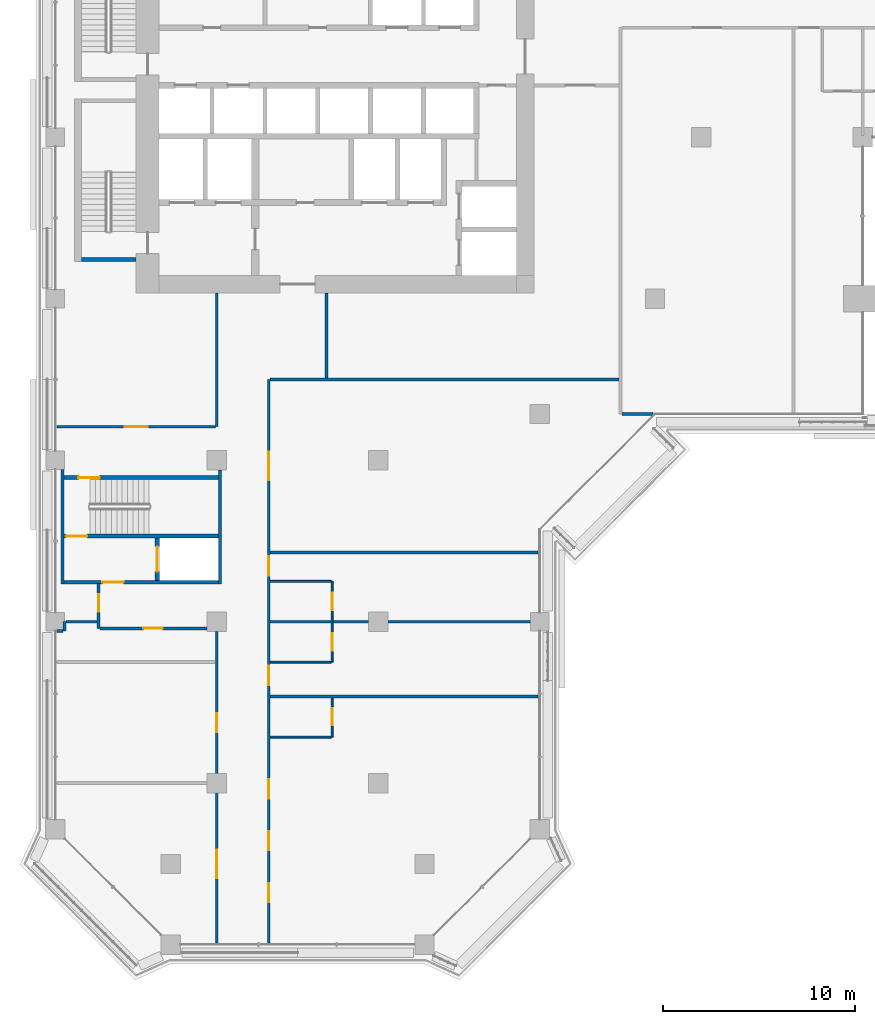
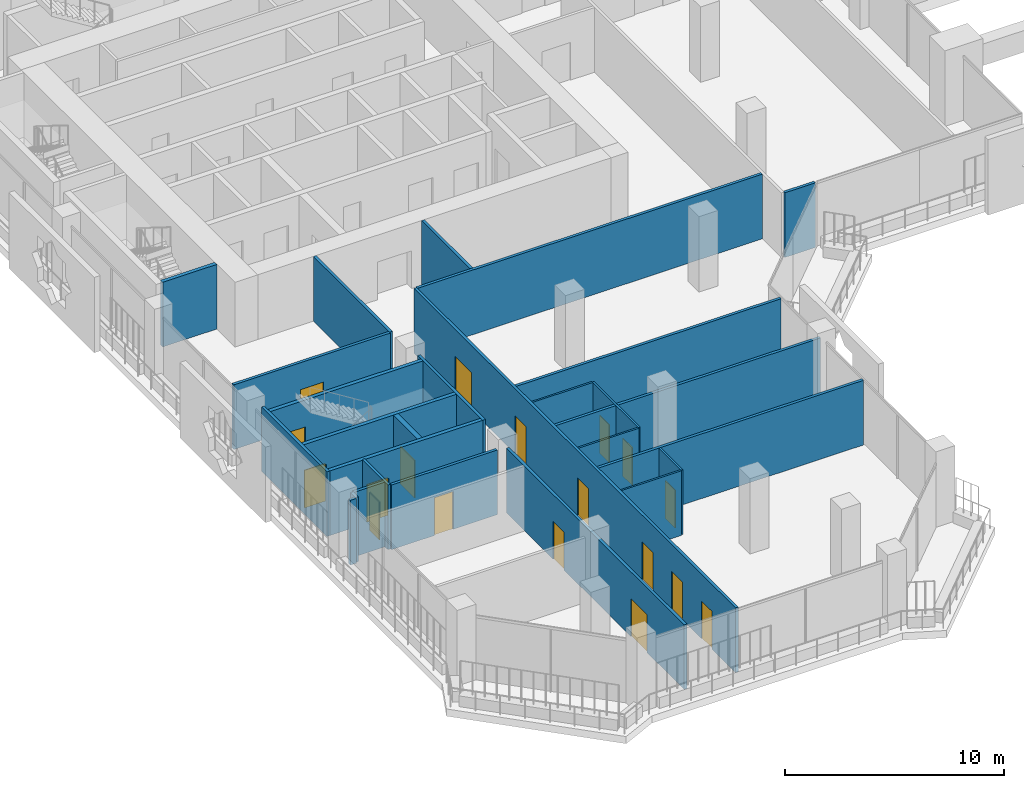
# One storey, part 11 of 23: 27 walls, 18 doors, 18 openings.
"""IFC4 building model written with IfcOpenShell, lengths in metres."""

import ifcopenshell
import ifcopenshell.guid

model = None  # the IFC model being written
_history = None  # IfcOwnerHistory: only IFC2X3 demands one
_inside = {}  # id of a spatial element -> (the spatial element, [elements in it])
_under = {}  # id of a project, library or spatial element -> (it, [spatial elements below it])
_declared = {}  # id of a project -> (the project, [libraries it declares])
_typed = {}  # id of a type object -> (the type object, [elements of that type])
_made_of = {}  # id of a material, layer set ... -> (it, [elements and type objects made of it])


def new_model(schema):
    """Start an empty IFC model of exactly this schema.

    Asked for "IFC4X3", IfcOpenShell would pick the latest addendum, in which some entities
    have other attributes; the version numbers below select the first issue.
    IFC2X3 requires an IfcOwnerHistory on every rooted entity: one is made here for all.
    """
    global model, _history
    if schema == "IFC4X3":
        model = ifcopenshell.file(schema_version=(4, 3, 0, 0))
    else:
        model = ifcopenshell.file(schema=schema)
    _inside.clear()
    _under.clear()
    _declared.clear()
    _typed.clear()
    _made_of.clear()
    _history = None
    if model.schema == "IFC2X3":
        org = make("IfcOrganization", Name="unknown")
        user = make(
            "IfcPersonAndOrganization",
            ThePerson=make("IfcPerson", FamilyName="unknown"),
            TheOrganization=org,
        )
        app = make(
            "IfcApplication",
            ApplicationDeveloper=org,
            Version="unknown",
            ApplicationFullName="unknown",
            ApplicationIdentifier="unknown",
        )
        _history = make(
            "IfcOwnerHistory",
            OwningUser=user,
            OwningApplication=app,
            ChangeAction="ADDED",
            CreationDate=0,
        )
    return model


def make(cls, **values):
    """One entity of the class cls with the attributes given. An attribute that is None is left unset."""
    return model.create_entity(
        cls, **{name: value for name, value in values.items() if value is not None}
    )


def rooted(cls, **values):
    """An entity with a GlobalId (a new one), such as an element, a storey or a relation."""
    return make(cls, GlobalId=ifcopenshell.guid.new(), OwnerHistory=_history, **values)


def si_unit(unit_type, name, prefix=None):
    """IfcSIUnit, for example si_unit("LENGTHUNIT", "METRE", prefix="MILLI")."""
    return make("IfcSIUnit", UnitType=unit_type, Prefix=prefix, Name=name)


def assignment(units):
    """IfcUnitAssignment: the units of a project."""
    return None if units is None else make("IfcUnitAssignment", Units=units)


def point(xyz):
    """IfcCartesianPoint."""
    return None if xyz is None else make("IfcCartesianPoint", Coordinates=xyz)


def direction(xyz):
    """IfcDirection."""
    return None if xyz is None else make("IfcDirection", DirectionRatios=xyz)


def frame(location, z_axis=None, x_axis=None):
    """IfcAxis2Placement3D, a coordinate frame: its origin and axes. An axis left out is left unset."""
    return make(
        "IfcAxis2Placement3D",
        Location=point(location),
        Axis=direction(z_axis),
        RefDirection=direction(x_axis),
    )


def frame_2d(location, x_axis=None):
    """IfcAxis2Placement2D, a coordinate frame in the plane: its origin and x axis."""
    return make(
        "IfcAxis2Placement2D", Location=point(location), RefDirection=direction(x_axis)
    )


def origin():
    """The frame at (0, 0, 0) with its axes left unset."""
    return frame((0.0, 0.0, 0.0))


def place(relative_to, where):
    """IfcLocalPlacement: puts the frame where relative to a parent placement (None: the world)."""
    return make(
        "IfcLocalPlacement", PlacementRelTo=relative_to, RelativePlacement=where
    )


def context(
    kind, dimensions, precision=None, world=None, true_north=None, identifier=None
):
    """IfcGeometricRepresentationContext, for example the 3D "Model" context."""
    return make(
        "IfcGeometricRepresentationContext",
        ContextIdentifier=identifier,
        ContextType=kind,
        CoordinateSpaceDimension=dimensions,
        Precision=precision,
        WorldCoordinateSystem=world,
        TrueNorth=true_north,
    )


def subcontext(parent, identifier, kind, view, scale=None):
    """IfcGeometricRepresentationSubContext, for example "Body" below "Model"."""
    return make(
        "IfcGeometricRepresentationSubContext",
        ContextIdentifier=identifier,
        ContextType=kind,
        ParentContext=parent,
        TargetScale=scale,
        TargetView=view,
    )


def project(units=None, contexts=None):
    """IfcProject with its units and contexts."""
    return rooted(
        "IfcProject",
        Name="project",
        RepresentationContexts=contexts,
        UnitsInContext=assignment(units),
    )


def spatial(cls, under=None, at=None, **own):
    """A site, building, storey or space (cls), placed at a placement, below another one or the project."""
    s = rooted(cls, ObjectPlacement=at, **own)
    if under is not None:
        _under.setdefault(under.id(), (under, []))[1].append(s)
    return s


def profile(cls, at=None, kind="AREA", **sizes):
    """A parametric profile (cls). Its sizes go by their IFC names, for example OverallWidth=200.0."""
    return make(cls, ProfileType=kind, Position=at, **sizes)


def rectangle(**sizes):
    """IfcRectangleProfileDef."""
    return profile("IfcRectangleProfileDef", **sizes)


def extrude(swept, where, along, depth):
    """IfcExtrudedAreaSolid: the profile swept, set in the frame where, extruded along a direction by depth."""
    return make(
        "IfcExtrudedAreaSolid",
        SweptArea=swept,
        Position=where,
        ExtrudedDirection=direction(along),
        Depth=depth,
    )


def shape(context_of_items, identifier, shape_type, items):
    """IfcShapeRepresentation: the items that make up one representation, for example the "Body"."""
    return make(
        "IfcShapeRepresentation",
        ContextOfItems=context_of_items,
        RepresentationIdentifier=identifier,
        RepresentationType=shape_type,
        Items=items,
    )


def material(Name=None, Category=None):
    """IfcMaterial."""
    return make("IfcMaterial", Name=Name, Category=Category)


def layer(
    of_material, thickness, ventilated=None, Name=None, Category=None, Priority=None
):
    """IfcMaterialLayer: one layer of a wall or slab, of a material (None: an air gap)."""
    return make(
        "IfcMaterialLayer",
        Material=of_material,
        LayerThickness=thickness,
        IsVentilated=ventilated,
        Name=Name,
        Category=Category,
        Priority=Priority,
    )


def layer_set(layers, Name=None):
    """IfcMaterialLayerSet."""
    return make("IfcMaterialLayerSet", MaterialLayers=layers, LayerSetName=Name)


def made_of(thing, what):
    """Note that an element or type object is made of a material, layer set ...; save() writes the relation."""
    if what is not None:
        _made_of.setdefault(what.id(), (what, []))[1].append(thing)
    return thing


def type_object(cls, material=None, **own):
    """A type object (cls), such as IfcWallType, which elements share."""
    return made_of(rooted(cls, **own), material)


def element(
    cls,
    number,
    at=None,
    inside=None,
    cuts=None,
    type_object=None,
    material=None,
    context=None,
    identifier="Body",
    shape_type=None,
    held_by="IfcProductDefinitionShape",
    body=None,
    shapes=None,
    **own,
):
    """One element of the class cls, such as IfcWall. Its Tag is "e" and its number.

    at: its placement. inside: the storey or other place that contains it. cuts: it is an
    opening in that element (IfcRelVoidsElement). A single representation is given by context,
    identifier, shape_type and body (its items); several are given by shapes. held_by: the class
    of the entity that holds the representations. save() writes the other relations.
    """
    e = rooted(cls, Tag="e%d" % number, ObjectPlacement=at, **own)
    if body is not None:
        shapes = [shape(context, identifier, shape_type, body)]
    if shapes is not None:
        e.Representation = make(held_by, Representations=shapes)
    if inside is not None:
        _inside.setdefault(inside.id(), (inside, []))[1].append(e)
    if cuts is not None:
        rooted(
            "IfcRelVoidsElement", RelatingBuildingElement=cuts, RelatedOpeningElement=e
        )
    if type_object is not None:
        _typed.setdefault(type_object.id(), (type_object, []))[1].append(e)
    return made_of(e, material)


def fill(opening, filler):
    """IfcRelFillsElement: the door or window that sits in an opening."""
    return rooted(
        "IfcRelFillsElement",
        RelatingOpeningElement=opening,
        RelatedBuildingElement=filler,
    )


def aggregate(whole, parts):
    """IfcRelAggregates: a whole, such as a stair, and the parts it consists of."""
    return rooted("IfcRelAggregates", RelatingObject=whole, RelatedObjects=parts)


def save(model, path):
    """Write the relations noted so far, then the file.

    IfcRelAggregates (storeys below a building ...), IfcRelContainedInSpatialStructure (elements
    in a storey), IfcRelDefinesByType, IfcRelAssociatesMaterial and IfcRelDeclares: one each for
    every whole, place, type object, material and project.
    """
    for whole, parts in _under.values():
        aggregate(whole, parts)
    for where, things in _inside.values():
        rooted(
            "IfcRelContainedInSpatialStructure",
            RelatedElements=things,
            RelatingStructure=where,
        )
    for kind, things in _typed.values():
        rooted("IfcRelDefinesByType", RelatedObjects=things, RelatingType=kind)
    for what, things in _made_of.values():
        rooted("IfcRelAssociatesMaterial", RelatedObjects=things, RelatingMaterial=what)
    for by, libraries in _declared.values():
        rooted("IfcRelDeclares", RelatingContext=by, RelatedDefinitions=libraries)
    model.write(path)


model = new_model("IFC4")

# Units and contexts
model_context = context("Model", 3, precision=1e-05, world=origin(), true_north=direction((0.0, 1.0)))
body_context = subcontext(model_context, "Body", "Model", "MODEL_VIEW")
ifc_project = project(units=[si_unit("LENGTHUNIT", "METRE"), si_unit("AREAUNIT", "SQUARE_METRE"), si_unit("VOLUMEUNIT", "CUBIC_METRE"), si_unit("PLANEANGLEUNIT", "RADIAN"), si_unit("MASSUNIT", "GRAM", prefix="KILO")], contexts=[model_context])

# Site, building, storey
site_placement = place(None, origin())
site = spatial("IfcSite", under=ifc_project, at=site_placement, CompositionType="ELEMENT")
building_placement = place(site_placement, origin())
building = spatial("IfcBuilding", under=site, at=building_placement, Name="Kawkab Arch Medical Tower", CompositionType="ELEMENT")
storey_placement = place(building_placement, frame((0.0, 0.0, 166.800048828125)))
storey = spatial("IfcBuildingStorey", under=building, at=storey_placement, Name="L38", CompositionType="ELEMENT", Elevation=166.800048828125)

# Wall, opening, door
ifc_material_1 = material(Name="Concrete C60/75", Category="concrete")
ifc_layer_1 = layer(ifc_material_1, 0.25)
ifc_layer_set_1 = layer_set([ifc_layer_1], Name="Concrete C60/75")
wall_type_1 = type_object("IfcWallType", Name="Core shear wall 250 C60/75", PredefinedType="SHEAR", material=ifc_layer_set_1)
wall_1_placement = place(storey_placement, frame((5.300048828125, -39.85009765625, 0.0), z_axis=(0.0, 0.0, 1.0), x_axis=(0.0, 1.0, 0.0)))
wall_1 = element("IfcWall", 1, at=wall_1_placement, inside=storey, type_object=wall_type_1, Name="L38 core shear wall", PredefinedType="SHEAR", context=body_context, shape_type="SweptSolid", body=[
    extrude(rectangle(XDim=2.2001953125, YDim=0.25, at=frame_2d((1.10009765625, 0.0))), origin(), (0.0, 0.0, 1.0), 3.599853515625),
])
opening_1_placement = place(wall_1_placement, frame((0.449951171875, 0.0, 0.0)))
opening_1 = element("IfcOpeningElement", 2, at=opening_1_placement, cuts=wall_1, Name="Opening LD2", PredefinedType="OPENING", context=body_context, shape_type="SweptSolid", body=[
    extrude(rectangle(XDim=1.300048828125, YDim=2.10009765625, at=frame_2d((0.64990234375, 1.050048828125))), frame((0.0, 0.135009765625, 0.0), z_axis=(0.0, -1.0, 0.0), x_axis=(1.0, 0.0, 0.0)), (0.0, 0.0, 1.0), 0.27001953125),
])
ifc_material_2 = material(Name="Stainless steel lift door leaf", Category="steel")
door_type_1 = type_object("IfcDoorType", Name="Lift landing door 1300", OperationType="DOUBLE_DOOR_SLIDING", PredefinedType="DOOR", material=ifc_material_2)
door_1_placement = place(opening_1_placement, origin())
door_1 = element("IfcDoor", 3, at=door_1_placement, inside=storey, type_object=door_type_1, Name="L38 Lift landing door SV2", OperationType="DOUBLE_DOOR_SLIDING", OverallHeight=2.10009765625, OverallWidth=1.300048828125, PredefinedType="DOOR", context=body_context, shape_type="SweptSolid", body=[
    extrude(rectangle(XDim=1.300048828125, YDim=2.10009765625, at=frame_2d((0.64990234375, 1.050048828125))), frame((0.0, 0.02490234375, 0.0), z_axis=(0.0, -1.0, 0.0), x_axis=(1.0, 0.0, 0.0)), (0.0, 0.0, 1.0), 0.050048828125),
])
fill(opening_1, door_1)

# Walls
ifc_material_3 = material(Name="Gypsum board partition on steel studs", Category="steel")
ifc_layer_2 = layer(ifc_material_3, 0.10009765625)
ifc_layer_set_2 = layer_set([ifc_layer_2], Name="Gypsum board partition on steel studs")
wall_type_2 = type_object("IfcWallType", Name="Partition 100", PredefinedType="PARTITIONING", material=ifc_layer_set_2)
wall_2_placement = place(storey_placement, frame((11.175048828125, -48.0, 0.0), z_axis=(0.0, 0.0, 1.0), x_axis=(1.0, 0.0, 0.0)))
element("IfcWall", 4, at=wall_2_placement, inside=storey, type_object=wall_type_2, Name="Partition 100 w001", PredefinedType="PARTITIONING", context=body_context, shape_type="SweptSolid", body=[
    extrude(rectangle(XDim=3.174072265625, YDim=0.10009765625, at=frame_2d((1.5869140625, 0.0))), origin(), (0.0, 0.0, 1.0), 3.599853515625),
])
for number, where, z_axis, x_axis, name in (
    (5, (11.175048828125, -44.10009765625, 0.0), (0.0, 0.0, 1.0), (1.0, 0.0, 0.0), "Partition 100 w002"),
    (6, (11.175048828125, -39.89990234375, 0.0), (0.0, 0.0, 1.0), (1.0, 0.0, 0.0), "Partition 100 w003"),
):
    element("IfcWall", number, at=place(storey_placement, frame(where, z_axis=z_axis, x_axis=x_axis)), inside=storey, type_object=wall_type_2, Name=name, PredefinedType="PARTITIONING", context=body_context, shape_type="SweptSolid", body=[
        extrude(rectangle(XDim=3.175048828125, YDim=0.10009765625, at=frame_2d((1.58740234375, 0.0))), origin(), (0.0, 0.0, 1.0), 3.599853515625),
    ])

# Wall, opening, door
wall_3_placement = place(storey_placement, frame((14.39990234375, -47.998046875, 0.0), z_axis=(0.0, 0.0, 1.0), x_axis=(0.0, 1.0, 0.0)))
wall_3 = element("IfcWall", 7, at=wall_3_placement, inside=storey, type_object=wall_type_2, Name="Partition 100 w008", PredefinedType="PARTITIONING", context=body_context, shape_type="SweptSolid", body=[
    extrude(rectangle(XDim=2.02294921875, YDim=0.10009765625, at=frame_2d((1.011474609375, 0.0))), origin(), (0.0, 0.0, 1.0), 3.599853515625),
])
opening_2_placement = place(wall_3_placement, frame((0.59912109375, 0.0, 0.0)))
opening_2 = element("IfcOpeningElement", 8, at=opening_2_placement, cuts=wall_3, Name="Opening B38-013", PredefinedType="OPENING", context=body_context, shape_type="SweptSolid", body=[
    extrude(rectangle(XDim=0.89990234375, YDim=2.10009765625, at=frame_2d((0.449951171875, 1.050048828125))), frame((0.0, 0.06005859375, 0.0), z_axis=(0.0, -1.0, 0.0), x_axis=(1.0, 0.0, 0.0)), (0.0, 0.0, 1.0), 0.1201171875),
])
ifc_material_4 = material(Name="Timber door leaf", Category="wood")
door_type_2 = type_object("IfcDoorType", Name="Single door 900x2100", OperationType="NOTDEFINED", PredefinedType="DOOR", material=ifc_material_4)
door_2_placement = place(opening_2_placement, origin())
door_2 = element("IfcDoor", 9, at=door_2_placement, inside=storey, type_object=door_type_2, Name="Door B38-013", OperationType="SINGLE_SWING_RIGHT", OverallHeight=2.10009765625, OverallWidth=0.89990234375, PredefinedType="DOOR", context=body_context, shape_type="SweptSolid", body=[
    extrude(rectangle(XDim=0.89990234375, YDim=2.10009765625, at=frame_2d((0.449951171875, 1.050048828125))), frame((0.0, 0.02490234375, 0.0), z_axis=(0.0, -1.0, 0.0), x_axis=(1.0, 0.0, 0.0)), (0.0, 0.0, 1.0), 0.050048828125),
])
fill(opening_2, door_2)

# Wall, openings, doors
wall_4_placement = place(storey_placement, frame((14.39990234375, -44.10009765625, 0.0), z_axis=(0.0, 0.0, 1.0), x_axis=(0.0, 1.0, 0.0)))
wall_4 = element("IfcWall", 10, at=wall_4_placement, inside=storey, type_object=wall_type_2, Name="Partition 100 w009", PredefinedType="PARTITIONING", context=body_context, shape_type="SweptSolid", body=[
    extrude(rectangle(XDim=4.2001953125, YDim=0.10009765625, at=frame_2d((2.10009765625, 0.0))), origin(), (0.0, 0.0, 1.0), 3.599853515625),
])
opening_3_placement = place(wall_4_placement, frame((2.699951171875, 0.0, 0.0)))
opening_3 = element("IfcOpeningElement", 11, at=opening_3_placement, cuts=wall_4, Name="Opening B38-011", PredefinedType="OPENING", context=body_context, shape_type="SweptSolid", body=[
    extrude(rectangle(XDim=0.89990234375, YDim=2.10009765625, at=frame_2d((0.449951171875, 1.050048828125))), frame((0.0, 0.06005859375, 0.0), z_axis=(0.0, -1.0, 0.0), x_axis=(1.0, 0.0, 0.0)), (0.0, 0.0, 1.0), 0.1201171875),
])
opening_4_placement = place(wall_4_placement, frame((0.60009765625, 0.0, 0.0)))
opening_4 = element("IfcOpeningElement", 12, at=opening_4_placement, cuts=wall_4, Name="Opening B38-012", PredefinedType="OPENING", context=body_context, shape_type="SweptSolid", body=[
    extrude(rectangle(XDim=0.89990234375, YDim=2.10009765625, at=frame_2d((0.449951171875, 1.050048828125))), frame((0.0, 0.06005859375, 0.0), z_axis=(0.0, -1.0, 0.0), x_axis=(1.0, 0.0, 0.0)), (0.0, 0.0, 1.0), 0.1201171875),
])
door_3_placement = place(opening_3_placement, origin())
door_3 = element("IfcDoor", 13, at=door_3_placement, inside=storey, type_object=door_type_2, Name="Door B38-011", OperationType="SINGLE_SWING_LEFT", OverallHeight=2.10009765625, OverallWidth=0.89990234375, PredefinedType="DOOR", context=body_context, shape_type="SweptSolid", body=[
    extrude(rectangle(XDim=0.89990234375, YDim=2.10009765625, at=frame_2d((0.449951171875, 1.050048828125))), frame((0.0, 0.02490234375, 0.0), z_axis=(0.0, -1.0, 0.0), x_axis=(1.0, 0.0, 0.0)), (0.0, 0.0, 1.0), 0.050048828125),
])
fill(opening_3, door_3)
door_4_placement = place(opening_4_placement, origin())
door_4 = element("IfcDoor", 14, at=door_4_placement, inside=storey, type_object=door_type_2, Name="Door B38-012", OperationType="SINGLE_SWING_RIGHT", OverallHeight=2.10009765625, OverallWidth=0.89990234375, PredefinedType="DOOR", context=body_context, shape_type="SweptSolid", body=[
    extrude(rectangle(XDim=0.89990234375, YDim=2.10009765625, at=frame_2d((0.449951171875, 1.050048828125))), frame((0.0, 0.02490234375, 0.0), z_axis=(0.0, -1.0, 0.0), x_axis=(1.0, 0.0, 0.0)), (0.0, 0.0, 1.0), 0.050048828125),
])
fill(opening_4, door_4)

# Walls
ifc_material_5 = material(Name="Gypsum board partition on steel studs, mineral wool", Category="steel")
ifc_layer_3 = layer(ifc_material_5, 0.14990234375)
ifc_layer_set_3 = layer_set([ifc_layer_3], Name="Gypsum board partition on steel studs, mineral wool")
wall_type_3 = type_object("IfcWallType", Name="Partition 150", PredefinedType="PARTITIONING", material=ifc_layer_set_3)
wall_5_placement = place(storey_placement, frame((11.175048828125, -45.89990234375, 0.0), z_axis=(0.0, 0.0, 1.0), x_axis=(1.0, 0.0, 0.0)))
element("IfcWall", 15, at=wall_5_placement, inside=storey, type_object=wall_type_3, Name="Partition 150 w017", PredefinedType="PARTITIONING", context=body_context, shape_type="SweptSolid", body=[
    extrude(rectangle(XDim=13.945068359375, YDim=0.14990234375, at=frame_2d((6.97265625, 0.0))), origin(), (0.0, 0.0, 1.0), 3.599853515625),
])
wall_6_placement = place(storey_placement, frame((0.080078125, -42.47509765625, 0.0), z_axis=(0.0, 0.0, 1.0), x_axis=(1.0, 0.0, 0.0)))
element("IfcWall", 16, at=wall_6_placement, inside=storey, type_object=wall_type_3, Name="Partition 150 w019", PredefinedType="PARTITIONING", context=body_context, shape_type="SweptSolid", body=[
    extrude(rectangle(XDim=0.31787109375, YDim=0.14990234375, at=frame_2d((0.158935546875, 0.0))), origin(), (0.0, 0.0, 1.0), 3.599853515625),
])

# Wall, opening, door
wall_7_placement = place(storey_placement, frame((2.326904296875, -42.35009765625, 0.0), z_axis=(0.0, 0.0, 1.0), x_axis=(1.0, 0.0, 0.0)))
wall_7 = element("IfcWall", 17, at=wall_7_placement, inside=storey, type_object=wall_type_3, Name="Partition 150 w020", PredefinedType="PARTITIONING", context=body_context, shape_type="SweptSolid", body=[
    extrude(rectangle(XDim=5.572998046875, YDim=0.14990234375, at=frame_2d((2.78662109375, 0.0))), origin(), (0.0, 0.0, 1.0), 3.599853515625),
])
opening_5_placement = place(wall_7_placement, frame((2.2490234375, 0.0, 0.0)))
opening_5 = element("IfcOpeningElement", 18, at=opening_5_placement, cuts=wall_7, Name="Opening B38-015", PredefinedType="OPENING", context=body_context, shape_type="SweptSolid", body=[
    extrude(rectangle(XDim=1.0, YDim=2.10009765625, at=frame_2d((0.5, 1.050048828125))), frame((0.0, 0.0849609375, 0.0), z_axis=(0.0, -1.0, 0.0), x_axis=(1.0, 0.0, 0.0)), (0.0, 0.0, 1.0), 0.169921875),
])
ifc_material_6 = material(Name="Timber door leaf", Category="wood")
door_type_3 = type_object("IfcDoorType", Name="Single door 1000x2100", OperationType="NOTDEFINED", PredefinedType="DOOR", material=ifc_material_6)
door_5_placement = place(opening_5_placement, origin())
door_5 = element("IfcDoor", 19, at=door_5_placement, inside=storey, type_object=door_type_3, Name="Door B38-015", OperationType="SINGLE_SWING_RIGHT", OverallHeight=2.10009765625, OverallWidth=1.0, PredefinedType="DOOR", context=body_context, shape_type="SweptSolid", body=[
    extrude(rectangle(XDim=1.0, YDim=2.10009765625, at=frame_2d((0.5, 1.050048828125))), frame((0.0, 0.02490234375, 0.0), z_axis=(0.0, -1.0, 0.0), x_axis=(1.0, 0.0, 0.0)), (0.0, 0.0, 1.0), 0.050048828125),
])
fill(opening_5, door_5)

# Walls
wall_8_placement = place(storey_placement, frame((0.552001953125, -42.0, 0.0), z_axis=(0.0, 0.0, 1.0), x_axis=(1.0, 0.0, 0.0)))
element("IfcWall", 20, at=wall_8_placement, inside=storey, type_object=wall_type_3, Name="Partition 150 w021", PredefinedType="PARTITIONING", context=body_context, shape_type="SweptSolid", body=[
    extrude(rectangle(XDim=1.623046875, YDim=0.14990234375, at=frame_2d((0.8115234375, 0.0))), origin(), (0.0, 0.0, 1.0), 3.599853515625),
])
for number, where, z_axis, x_axis, name in (
    (21, (11.175048828125, -42.0, 0.0), (0.0, 0.0, 1.0), (1.0, 0.0, 0.0), "Partition 150 w022"),
    (22, (11.175048828125, -38.39990234375, 0.0), (0.0, 0.0, 1.0), (1.0, 0.0, 0.0), "Partition 150 w023"),
):
    element("IfcWall", number, at=place(storey_placement, frame(where, z_axis=z_axis, x_axis=x_axis)), inside=storey, type_object=wall_type_3, Name=name, PredefinedType="PARTITIONING", context=body_context, shape_type="SweptSolid", body=[
        extrude(rectangle(XDim=13.945068359375, YDim=0.14990234375, at=frame_2d((6.97265625, 0.0))), origin(), (0.0, 0.0, 1.0), 3.599853515625),
    ])

# Wall, opening, door
wall_9_placement = place(storey_placement, frame((0.080078125, -31.85693359375, 0.0), z_axis=(0.0, 0.0, 1.0), x_axis=(1.0, 0.0, 0.0)))
wall_9 = element("IfcWall", 23, at=wall_9_placement, inside=storey, type_object=wall_type_3, Name="Partition 150 w024", PredefinedType="PARTITIONING", context=body_context, shape_type="SweptSolid", body=[
    extrude(rectangle(XDim=8.244873046875, YDim=0.14990234375, at=frame_2d((4.12255859375, 0.0))), origin(), (0.0, 0.0, 1.0), 3.599853515625),
])
opening_6_placement = place(wall_9_placement, frame((3.52001953125, 0.0, 0.0)))
opening_6 = element("IfcOpeningElement", 24, at=opening_6_placement, cuts=wall_9, Name="Opening B38-037", PredefinedType="OPENING", context=body_context, shape_type="SweptSolid", body=[
    extrude(rectangle(XDim=1.199951171875, YDim=2.10009765625, at=frame_2d((0.60009765625, 1.050048828125))), frame((0.0, 0.0849609375, 0.0), z_axis=(0.0, -1.0, 0.0), x_axis=(1.0, 0.0, 0.0)), (0.0, 0.0, 1.0), 0.169921875),
])
ifc_material_7 = material(Name="Hollow metal door leaf")
door_type_4 = type_object("IfcDoorType", Name="Single door 1200x2100 FD30S", OperationType="NOTDEFINED", PredefinedType="DOOR", material=ifc_material_7)
door_6_placement = place(opening_6_placement, origin())
door_6 = element("IfcDoor", 25, at=door_6_placement, inside=storey, type_object=door_type_4, Name="Door B38-037", OperationType="SINGLE_SWING_LEFT", OverallHeight=2.10009765625, OverallWidth=1.199951171875, PredefinedType="DOOR", context=body_context, shape_type="SweptSolid", body=[
    extrude(rectangle(XDim=1.199951171875, YDim=2.10009765625, at=frame_2d((0.60009765625, 1.050048828125))), frame((0.0, 0.02490234375, 0.0), z_axis=(0.0, -1.0, 0.0), x_axis=(1.0, 0.0, 0.0)), (0.0, 0.0, 1.0), 0.050048828125),
])
fill(opening_6, door_6)

# Walls
wall_10_placement = place(storey_placement, frame((29.47705078125, -31.199951171875, 0.0), z_axis=(0.0, 0.0, 1.0), x_axis=(1.0, 0.0, 0.0)))
element("IfcWall", 26, at=wall_10_placement, inside=storey, type_object=wall_type_3, Name="Partition 150 w025", PredefinedType="PARTITIONING", context=body_context, shape_type="SweptSolid", body=[
    extrude(rectangle(XDim=1.60986328125, YDim=0.14990234375, at=frame_2d((0.804931640625, 0.0))), origin(), (0.0, 0.0, 1.0), 3.599853515625),
])
wall_11_placement = place(storey_placement, frame((11.175048828125, -29.39990234375, 0.0), z_axis=(0.0, 0.0, 1.0), x_axis=(1.0, 0.0, 0.0)))
element("IfcWall", 27, at=wall_11_placement, inside=storey, type_object=wall_type_3, Name="Partition 150 w026", PredefinedType="PARTITIONING", context=body_context, shape_type="SweptSolid", body=[
    extrude(rectangle(XDim=18.14990234375, YDim=0.14990234375, at=frame_2d((9.074951171875, 0.0))), origin(), (0.0, 0.0, 1.0), 3.599853515625),
])
wall_12_placement = place(storey_placement, frame((0.47509765625, -42.472900390625, 0.0), z_axis=(0.0, 0.0, 1.0), x_axis=(0.0, 1.0, 0.0)))
element("IfcWall", 28, at=wall_12_placement, inside=storey, type_object=wall_type_3, Name="Partition 150 w035", PredefinedType="PARTITIONING", context=body_context, shape_type="SweptSolid", body=[
    extrude(rectangle(XDim=0.470947265625, YDim=0.14990234375, at=frame_2d((0.2353515625, 0.0))), origin(), (0.0, 0.0, 1.0), 3.599853515625),
])

# Wall, opening, door
wall_13_placement = place(storey_placement, frame((2.25, -42.347900390625, 0.0), z_axis=(0.0, 0.0, 1.0), x_axis=(0.0, 1.0, 0.0)))
wall_13 = element("IfcWall", 29, at=wall_13_placement, inside=storey, type_object=wall_type_3, Name="Partition 150 w036", PredefinedType="PARTITIONING", context=body_context, shape_type="SweptSolid", body=[
    extrude(rectangle(XDim=2.347900390625, YDim=0.14990234375, at=frame_2d((1.173828125, 0.0))), origin(), (0.0, 0.0, 1.0), 3.599853515625),
])
opening_7_placement = place(wall_13_placement, frame((0.873046875, 0.0, 0.0)))
opening_7 = element("IfcOpeningElement", 30, at=opening_7_placement, cuts=wall_13, Name="Opening B38-014", PredefinedType="OPENING", context=body_context, shape_type="SweptSolid", body=[
    extrude(rectangle(XDim=0.89990234375, YDim=2.10009765625, at=frame_2d((0.449951171875, 1.050048828125))), frame((0.0, 0.0849609375, 0.0), z_axis=(0.0, -1.0, 0.0), x_axis=(1.0, 0.0, 0.0)), (0.0, 0.0, 1.0), 0.169921875),
])
door_7_placement = place(opening_7_placement, origin())
door_7 = element("IfcDoor", 31, at=door_7_placement, inside=storey, type_object=door_type_2, Name="Door B38-014", OperationType="SINGLE_SWING_RIGHT", OverallHeight=2.10009765625, OverallWidth=0.89990234375, PredefinedType="DOOR", context=body_context, shape_type="SweptSolid", body=[
    extrude(rectangle(XDim=0.89990234375, YDim=2.10009765625, at=frame_2d((0.449951171875, 1.050048828125))), frame((0.0, 0.02490234375, 0.0), z_axis=(0.0, -1.0, 0.0), x_axis=(1.0, 0.0, 0.0)), (0.0, 0.0, 1.0), 0.050048828125),
])
fill(opening_7, door_7)

# Wall, openings, doors
wall_14_placement = place(storey_placement, frame((8.39990234375, -58.719970703125, 0.0), z_axis=(0.0, 0.0, 1.0), x_axis=(0.0, 1.0, 0.0)))
wall_14 = element("IfcWall", 32, at=wall_14_placement, inside=storey, type_object=wall_type_3, Name="Partition 150 w037", PredefinedType="PARTITIONING", context=body_context, shape_type="SweptSolid", body=[
    extrude(rectangle(XDim=16.219970703125, YDim=0.14990234375, at=frame_2d((8.10986328125, 0.0))), origin(), (0.0, 0.0, 1.0), 3.599853515625),
])
opening_8_placement = place(wall_14_placement, frame((3.3701171875, 0.0, 0.0)))
opening_8 = element("IfcOpeningElement", 33, at=opening_8_placement, cuts=wall_14, Name="Opening B38-003", PredefinedType="OPENING", context=body_context, shape_type="SweptSolid", body=[
    extrude(rectangle(XDim=1.5, YDim=2.10009765625, at=frame_2d((0.75, 1.050048828125))), frame((0.0, 0.0849609375, 0.0), z_axis=(0.0, -1.0, 0.0), x_axis=(1.0, 0.0, 0.0)), (0.0, 0.0, 1.0), 0.169921875),
])
opening_9_placement = place(wall_14_placement, frame((10.969970703125, 0.0, 0.0)))
opening_9 = element("IfcOpeningElement", 34, at=opening_9_placement, cuts=wall_14, Name="Opening B38-035", PredefinedType="OPENING", context=body_context, shape_type="SweptSolid", body=[
    extrude(rectangle(XDim=1.0, YDim=2.10009765625, at=frame_2d((0.5, 1.050048828125))), frame((0.0, 0.0849609375, 0.0), z_axis=(0.0, -1.0, 0.0), x_axis=(1.0, 0.0, 0.0)), (0.0, 0.0, 1.0), 0.169921875),
])
ifc_material_8 = material(Name="Hollow metal door leaf")
door_type_5 = type_object("IfcDoorType", Name="Double door 1500x2100 FD30S", OperationType="NOTDEFINED", PredefinedType="DOOR", material=ifc_material_8)
door_8_placement = place(opening_8_placement, origin())
door_8 = element("IfcDoor", 35, at=door_8_placement, inside=storey, type_object=door_type_5, Name="Door B38-003", OperationType="DOUBLE_DOOR_SINGLE_SWING", OverallHeight=2.10009765625, OverallWidth=1.5, PredefinedType="DOOR", context=body_context, shape_type="SweptSolid", body=[
    extrude(rectangle(XDim=1.5, YDim=2.10009765625, at=frame_2d((0.75, 1.050048828125))), frame((0.0, 0.02490234375, 0.0), z_axis=(0.0, -1.0, 0.0), x_axis=(1.0, 0.0, 0.0)), (0.0, 0.0, 1.0), 0.050048828125),
])
fill(opening_8, door_8)
ifc_material_9 = material(Name="Hollow metal door leaf")
door_type_6 = type_object("IfcDoorType", Name="Single door 1000x2100 FD30S", OperationType="NOTDEFINED", PredefinedType="DOOR", material=ifc_material_9)
door_9_placement = place(opening_9_placement, origin())
door_9 = element("IfcDoor", 36, at=door_9_placement, inside=storey, type_object=door_type_6, Name="Door B38-035", OperationType="SINGLE_SWING_RIGHT", OverallHeight=2.10009765625, OverallWidth=1.0, PredefinedType="DOOR", context=body_context, shape_type="SweptSolid", body=[
    extrude(rectangle(XDim=1.0, YDim=2.10009765625, at=frame_2d((0.5, 1.050048828125))), frame((0.0, 0.02490234375, 0.0), z_axis=(0.0, -1.0, 0.0), x_axis=(1.0, 0.0, 0.0)), (0.0, 0.0, 1.0), 0.050048828125),
])
fill(opening_9, door_9)

# Wall
wall_15_placement = place(storey_placement, frame((8.39990234375, -31.85693359375, 0.0), z_axis=(0.0, 0.0, 1.0), x_axis=(0.0, 1.0, 0.0)))
element("IfcWall", 37, at=wall_15_placement, inside=storey, type_object=wall_type_3, Name="Partition 150 w038", PredefinedType="PARTITIONING", context=body_context, shape_type="SweptSolid", body=[
    extrude(rectangle(XDim=6.95703125, YDim=0.14990234375, at=frame_2d((3.478515625, 0.0))), origin(), (0.0, 0.0, 1.0), 3.599853515625),
])

# Wall, openings, doors
wall_16_placement = place(storey_placement, frame((11.10009765625, -58.719970703125, 0.0), z_axis=(0.0, 0.0, 1.0), x_axis=(0.0, 1.0, 0.0)))
wall_16 = element("IfcWall", 38, at=wall_16_placement, inside=storey, type_object=wall_type_3, Name="Partition 150 w039", PredefinedType="PARTITIONING", context=body_context, shape_type="SweptSolid", body=[
    extrude(rectangle(XDim=29.320068359375, YDim=0.14990234375, at=frame_2d((14.66015625, 0.0))), origin(), (0.0, 0.0, 1.0), 3.599853515625),
])
opening_10_placement = place(wall_16_placement, frame((24.070068359375, 0.0, 0.0)))
opening_10 = element("IfcOpeningElement", 39, at=opening_10_placement, cuts=wall_16, Name="Opening B38-004", PredefinedType="OPENING", context=body_context, shape_type="SweptSolid", body=[
    extrude(rectangle(XDim=1.5, YDim=2.10009765625, at=frame_2d((0.75, 1.050048828125))), frame((0.0, 0.0849609375, 0.0), z_axis=(0.0, -1.0, 0.0), x_axis=(1.0, 0.0, 0.0)), (0.0, 0.0, 1.0), 0.169921875),
])
opening_11_placement = place(wall_16_placement, frame((19.1201171875, 0.0, 0.0)))
opening_11 = element("IfcOpeningElement", 40, at=opening_11_placement, cuts=wall_16, Name="Opening B38-030", PredefinedType="OPENING", context=body_context, shape_type="SweptSolid", body=[
    extrude(rectangle(XDim=1.0, YDim=2.10009765625, at=frame_2d((0.5, 1.050048828125))), frame((0.0, 0.0849609375, 0.0), z_axis=(0.0, -1.0, 0.0), x_axis=(1.0, 0.0, 0.0)), (0.0, 0.0, 1.0), 0.169921875),
])
opening_12_placement = place(wall_16_placement, frame((13.419921875, 0.0, 0.0)))
opening_12 = element("IfcOpeningElement", 41, at=opening_12_placement, cuts=wall_16, Name="Opening B38-031", PredefinedType="OPENING", context=body_context, shape_type="SweptSolid", body=[
    extrude(rectangle(XDim=1.0, YDim=2.10009765625, at=frame_2d((0.5, 1.050048828125))), frame((0.0, 0.0849609375, 0.0), z_axis=(0.0, -1.0, 0.0), x_axis=(1.0, 0.0, 0.0)), (0.0, 0.0, 1.0), 0.169921875),
])
opening_13_placement = place(wall_16_placement, frame((7.52001953125, 0.0, 0.0)))
opening_13 = element("IfcOpeningElement", 42, at=opening_13_placement, cuts=wall_16, Name="Opening B38-032", PredefinedType="OPENING", context=body_context, shape_type="SweptSolid", body=[
    extrude(rectangle(XDim=1.0, YDim=2.10009765625, at=frame_2d((0.5, 1.050048828125))), frame((0.0, 0.0849609375, 0.0), z_axis=(0.0, -1.0, 0.0), x_axis=(1.0, 0.0, 0.0)), (0.0, 0.0, 1.0), 0.169921875),
])
opening_14_placement = place(wall_16_placement, frame((4.820068359375, 0.0, 0.0)))
opening_14 = element("IfcOpeningElement", 43, at=opening_14_placement, cuts=wall_16, Name="Opening B38-033", PredefinedType="OPENING", context=body_context, shape_type="SweptSolid", body=[
    extrude(rectangle(XDim=1.0, YDim=2.10009765625, at=frame_2d((0.5, 1.050048828125))), frame((0.0, 0.0849609375, 0.0), z_axis=(0.0, -1.0, 0.0), x_axis=(1.0, 0.0, 0.0)), (0.0, 0.0, 1.0), 0.169921875),
])
opening_15_placement = place(wall_16_placement, frame((2.1201171875, 0.0, 0.0)))
opening_15 = element("IfcOpeningElement", 44, at=opening_15_placement, cuts=wall_16, Name="Opening B38-034", PredefinedType="OPENING", context=body_context, shape_type="SweptSolid", body=[
    extrude(rectangle(XDim=1.0, YDim=2.10009765625, at=frame_2d((0.5, 1.050048828125))), frame((0.0, 0.0849609375, 0.0), z_axis=(0.0, -1.0, 0.0), x_axis=(1.0, 0.0, 0.0)), (0.0, 0.0, 1.0), 0.169921875),
])
door_10_placement = place(opening_10_placement, origin())
door_10 = element("IfcDoor", 45, at=door_10_placement, inside=storey, type_object=door_type_5, Name="Door B38-004", OperationType="DOUBLE_DOOR_SINGLE_SWING", OverallHeight=2.10009765625, OverallWidth=1.5, PredefinedType="DOOR", context=body_context, shape_type="SweptSolid", body=[
    extrude(rectangle(XDim=1.5, YDim=2.10009765625, at=frame_2d((0.75, 1.050048828125))), frame((0.0, 0.02490234375, 0.0), z_axis=(0.0, -1.0, 0.0), x_axis=(1.0, 0.0, 0.0)), (0.0, 0.0, 1.0), 0.050048828125),
])
fill(opening_10, door_10)
door_11_placement = place(opening_11_placement, origin())
door_11 = element("IfcDoor", 46, at=door_11_placement, inside=storey, type_object=door_type_6, Name="Door B38-030", OperationType="SINGLE_SWING_LEFT", OverallHeight=2.10009765625, OverallWidth=1.0, PredefinedType="DOOR", context=body_context, shape_type="SweptSolid", body=[
    extrude(rectangle(XDim=1.0, YDim=2.10009765625, at=frame_2d((0.5, 1.050048828125))), frame((0.0, 0.02490234375, 0.0), z_axis=(0.0, -1.0, 0.0), x_axis=(1.0, 0.0, 0.0)), (0.0, 0.0, 1.0), 0.050048828125),
])
fill(opening_11, door_11)
door_12_placement = place(opening_12_placement, origin())
door_12 = element("IfcDoor", 47, at=door_12_placement, inside=storey, type_object=door_type_6, Name="Door B38-031", OperationType="SINGLE_SWING_RIGHT", OverallHeight=2.10009765625, OverallWidth=1.0, PredefinedType="DOOR", context=body_context, shape_type="SweptSolid", body=[
    extrude(rectangle(XDim=1.0, YDim=2.10009765625, at=frame_2d((0.5, 1.050048828125))), frame((0.0, 0.02490234375, 0.0), z_axis=(0.0, -1.0, 0.0), x_axis=(1.0, 0.0, 0.0)), (0.0, 0.0, 1.0), 0.050048828125),
])
fill(opening_12, door_12)
door_13_placement = place(opening_13_placement, origin())
door_13 = element("IfcDoor", 48, at=door_13_placement, inside=storey, type_object=door_type_6, Name="Door B38-032", OperationType="SINGLE_SWING_RIGHT", OverallHeight=2.10009765625, OverallWidth=1.0, PredefinedType="DOOR", context=body_context, shape_type="SweptSolid", body=[
    extrude(rectangle(XDim=1.0, YDim=2.10009765625, at=frame_2d((0.5, 1.050048828125))), frame((0.0, 0.02490234375, 0.0), z_axis=(0.0, -1.0, 0.0), x_axis=(1.0, 0.0, 0.0)), (0.0, 0.0, 1.0), 0.050048828125),
])
fill(opening_13, door_13)
door_14_placement = place(opening_14_placement, origin())
door_14 = element("IfcDoor", 49, at=door_14_placement, inside=storey, type_object=door_type_6, Name="Door B38-033", OperationType="SINGLE_SWING_RIGHT", OverallHeight=2.10009765625, OverallWidth=1.0, PredefinedType="DOOR", context=body_context, shape_type="SweptSolid", body=[
    extrude(rectangle(XDim=1.0, YDim=2.10009765625, at=frame_2d((0.5, 1.050048828125))), frame((0.0, 0.02490234375, 0.0), z_axis=(0.0, -1.0, 0.0), x_axis=(1.0, 0.0, 0.0)), (0.0, 0.0, 1.0), 0.050048828125),
])
fill(opening_14, door_14)
door_15_placement = place(opening_15_placement, origin())
door_15 = element("IfcDoor", 50, at=door_15_placement, inside=storey, type_object=door_type_6, Name="Door B38-034", OperationType="SINGLE_SWING_RIGHT", OverallHeight=2.10009765625, OverallWidth=1.0, PredefinedType="DOOR", context=body_context, shape_type="SweptSolid", body=[
    extrude(rectangle(XDim=1.0, YDim=2.10009765625, at=frame_2d((0.5, 1.050048828125))), frame((0.0, 0.02490234375, 0.0), z_axis=(0.0, -1.0, 0.0), x_axis=(1.0, 0.0, 0.0)), (0.0, 0.0, 1.0), 0.050048828125),
])
fill(opening_15, door_15)

# Walls
wall_17_placement = place(storey_placement, frame((14.10009765625, -29.324951171875, 0.0), z_axis=(0.0, 0.0, 1.0), x_axis=(0.0, 1.0, 0.0)))
element("IfcWall", 51, at=wall_17_placement, inside=storey, type_object=wall_type_3, Name="Partition 150 w040", PredefinedType="PARTITIONING", context=body_context, shape_type="SweptSolid", body=[
    extrude(rectangle(XDim=4.425048828125, YDim=0.14990234375, at=frame_2d((2.21240234375, 0.0))), origin(), (0.0, 0.0, 1.0), 3.599853515625),
])
ifc_material_10 = material(Name="Concrete C50/60", Category="concrete")
ifc_layer_4 = layer(ifc_material_10, 0.14990234375)
ifc_layer_set_4 = layer_set([ifc_layer_4], Name="Concrete C50/60")
wall_type_4 = type_object("IfcWallType", Name="Stair enclosure wall 150 C50/60", PredefinedType="SHEAR", material=ifc_layer_set_4)
wall_18_placement = place(storey_placement, frame((0.375, -40.050048828125, 0.0), z_axis=(0.0, 0.0, 1.0), x_axis=(0.0, 1.0, 0.0)))
element("IfcWall", 52, at=wall_18_placement, inside=storey, type_object=wall_type_4, Name="L38 stair enclosure wall", PredefinedType="SHEAR", context=body_context, shape_type="SweptSolid", body=[
    extrude(rectangle(XDim=5.97509765625, YDim=0.14990234375, at=frame_2d((2.987548828125, 0.0))), origin(), (0.0, 0.0, 1.0), 3.599853515625),
])
wall_19_placement = place(storey_placement, frame((8.574951171875, -40.050048828125, 0.0), z_axis=(0.0, 0.0, 1.0), x_axis=(0.0, 1.0, 0.0)))
element("IfcWall", 53, at=wall_19_placement, inside=storey, type_object=wall_type_4, Name="L38 stair enclosure wall", PredefinedType="SHEAR", context=body_context, shape_type="SweptSolid", body=[
    extrude(rectangle(XDim=5.949951171875, YDim=0.14990234375, at=frame_2d((2.97509765625, 0.0))), origin(), (0.0, 0.0, 1.0), 3.599853515625),
])
ifc_material_11 = material(Name="Concrete C50/60", Category="concrete")
ifc_layer_5 = layer(ifc_material_11, 0.199951171875)
ifc_layer_set_5 = layer_set([ifc_layer_5], Name="Concrete C50/60")
wall_type_5 = type_object("IfcWallType", Name="Stair enclosure wall 200 C50/60", PredefinedType="SHEAR", material=ifc_layer_set_5)
wall_20_placement = place(storey_placement, frame((1.35009765625, -23.14990234375, 0.0), z_axis=(0.0, 0.0, 1.0), x_axis=(1.0, 0.0, 0.0)))
element("IfcWall", 54, at=wall_20_placement, inside=storey, type_object=wall_type_5, Name="L38 stair enclosure wall", PredefinedType="SHEAR", context=body_context, shape_type="SweptSolid", body=[
    extrude(rectangle(XDim=2.849853515625, YDim=0.199951171875, at=frame_2d((1.4248046875, 0.0))), origin(), (0.0, 0.0, 1.0), 3.599853515625),
])

# Wall, opening, door
wall_21_placement = place(storey_placement, frame((0.449951171875, -34.5, 0.0), z_axis=(0.0, 0.0, 1.0), x_axis=(1.0, 0.0, 0.0)))
wall_21 = element("IfcWall", 55, at=wall_21_placement, inside=storey, type_object=wall_type_5, Name="L38 stair enclosure wall", PredefinedType="SHEAR", context=body_context, shape_type="SweptSolid", body=[
    extrude(rectangle(XDim=8.050048828125, YDim=0.199951171875, at=frame_2d((4.02490234375, 0.0))), origin(), (0.0, 0.0, 1.0), 3.599853515625),
])
opening_16_placement = place(wall_21_placement, frame((0.75, 0.0, 0.0)))
opening_16 = element("IfcOpeningElement", 56, at=opening_16_placement, cuts=wall_21, Name="Opening SD", PredefinedType="OPENING", context=body_context, shape_type="SweptSolid", body=[
    extrude(rectangle(XDim=1.10009765625, YDim=2.10009765625, at=frame_2d((0.550048828125, 1.050048828125))), frame((0.0, 0.10986328125, 0.0), z_axis=(0.0, -1.0, 0.0), x_axis=(1.0, 0.0, 0.0)), (0.0, 0.0, 1.0), 0.219970703125),
])
ifc_material_12 = material(Name="Hollow metal fire door leaf")
door_type_7 = type_object("IfcDoorType", Name="Exit stair door 1100", OperationType="SINGLE_SWING_LEFT", PredefinedType="DOOR", material=ifc_material_12)
door_16_placement = place(opening_16_placement, origin())
door_16 = element("IfcDoor", 57, at=door_16_placement, inside=storey, type_object=door_type_7, Name="L38 Exit stair ST6 door", OperationType="SINGLE_SWING_LEFT", OverallHeight=2.10009765625, OverallWidth=1.10009765625, PredefinedType="DOOR", context=body_context, shape_type="SweptSolid", body=[
    extrude(rectangle(XDim=1.10009765625, YDim=2.10009765625, at=frame_2d((0.550048828125, 1.050048828125))), frame((0.0, 0.02490234375, 0.0), z_axis=(0.0, -1.0, 0.0), x_axis=(1.0, 0.0, 0.0)), (0.0, 0.0, 1.0), 0.050048828125),
])
fill(opening_16, door_16)

wall_22_placement = place(storey_placement, frame((0.449951171875, -37.550048828125, 0.0), z_axis=(0.0, 0.0, 1.0), x_axis=(1.0, 0.0, 0.0)))
wall_22 = element("IfcWall", 58, at=wall_22_placement, inside=storey, type_object=wall_type_5, Name="L38 stair enclosure wall", PredefinedType="SHEAR", context=body_context, shape_type="SweptSolid", body=[
    extrude(rectangle(XDim=8.050048828125, YDim=0.199951171875, at=frame_2d((4.02490234375, 0.0))), origin(), (0.0, 0.0, 1.0), 3.599853515625),
])
opening_17_placement = place(wall_22_placement, frame((0.10009765625, 0.0, 0.0)))
opening_17 = element("IfcOpeningElement", 59, at=opening_17_placement, cuts=wall_22, Name="Opening SD", PredefinedType="OPENING", context=body_context, shape_type="SweptSolid", body=[
    extrude(rectangle(XDim=1.10009765625, YDim=2.10009765625, at=frame_2d((0.550048828125, 1.050048828125))), frame((0.0, 0.10986328125, 0.0), z_axis=(0.0, -1.0, 0.0), x_axis=(1.0, 0.0, 0.0)), (0.0, 0.0, 1.0), 0.219970703125),
])
door_17_placement = place(opening_17_placement, frame((1.10009765625, 0.0, 0.0), z_axis=(0.0, 0.0, 1.0), x_axis=(-1.0, 0.0, 0.0)))
door_17 = element("IfcDoor", 60, at=door_17_placement, inside=storey, type_object=door_type_7, Name="L38 Exit stair ST6 lobby door", OperationType="SINGLE_SWING_LEFT", OverallHeight=2.10009765625, OverallWidth=1.10009765625, PredefinedType="DOOR", context=body_context, shape_type="SweptSolid", body=[
    extrude(rectangle(XDim=1.10009765625, YDim=2.10009765625, at=frame_2d((0.550048828125, 1.050048828125))), frame((0.0, 0.02490234375, 0.0), z_axis=(0.0, -1.0, 0.0), x_axis=(1.0, 0.0, 0.0)), (0.0, 0.0, 1.0), 0.050048828125),
])
fill(opening_17, door_17)

wall_23_placement = place(storey_placement, frame((0.449951171875, -39.949951171875, 0.0), z_axis=(0.0, 0.0, 1.0), x_axis=(1.0, 0.0, 0.0)))
wall_23 = element("IfcWall", 61, at=wall_23_placement, inside=storey, type_object=wall_type_5, Name="L38 stair enclosure wall", PredefinedType="SHEAR", context=body_context, shape_type="SweptSolid", body=[
    extrude(rectangle(XDim=8.050048828125, YDim=0.199951171875, at=frame_2d((4.02490234375, 0.0))), origin(), (0.0, 0.0, 1.0), 3.599853515625),
])
opening_18_placement = place(wall_23_placement, frame((2.0, 0.0, 0.0)))
opening_18 = element("IfcOpeningElement", 62, at=opening_18_placement, cuts=wall_23, Name="Opening FD", PredefinedType="OPENING", context=body_context, shape_type="SweptSolid", body=[
    extrude(rectangle(XDim=1.10009765625, YDim=2.10009765625, at=frame_2d((0.550048828125, 1.050048828125))), frame((0.0, 0.10986328125, 0.0), z_axis=(0.0, -1.0, 0.0), x_axis=(1.0, 0.0, 0.0)), (0.0, 0.0, 1.0), 0.219970703125),
])
ifc_material_13 = material(Name="Hollow metal fire door leaf")
door_type_8 = type_object("IfcDoorType", Name="Firefighting lobby door 1100", OperationType="SINGLE_SWING_LEFT", PredefinedType="DOOR", material=ifc_material_13)
door_18_placement = place(opening_18_placement, origin())
door_18 = element("IfcDoor", 63, at=door_18_placement, inside=storey, type_object=door_type_8, Name="L38 Service lift lobby door SV2", OperationType="SINGLE_SWING_LEFT", OverallHeight=2.10009765625, OverallWidth=1.10009765625, PredefinedType="DOOR", context=body_context, shape_type="SweptSolid", body=[
    extrude(rectangle(XDim=1.10009765625, YDim=2.10009765625, at=frame_2d((0.550048828125, 1.050048828125))), frame((0.0, 0.02490234375, 0.0), z_axis=(0.0, -1.0, 0.0), x_axis=(1.0, 0.0, 0.0)), (0.0, 0.0, 1.0), 0.050048828125),
])
fill(opening_18, door_18)

save(model, "model.ifc")
